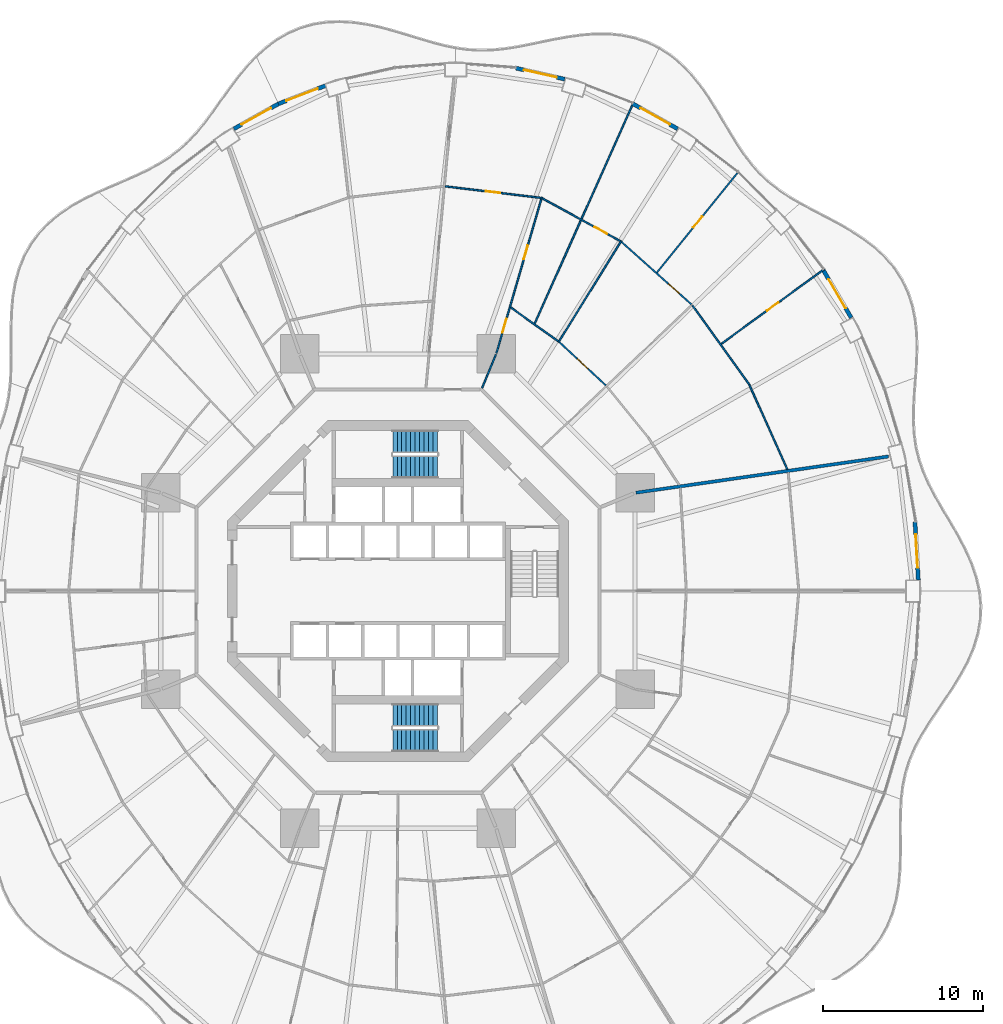
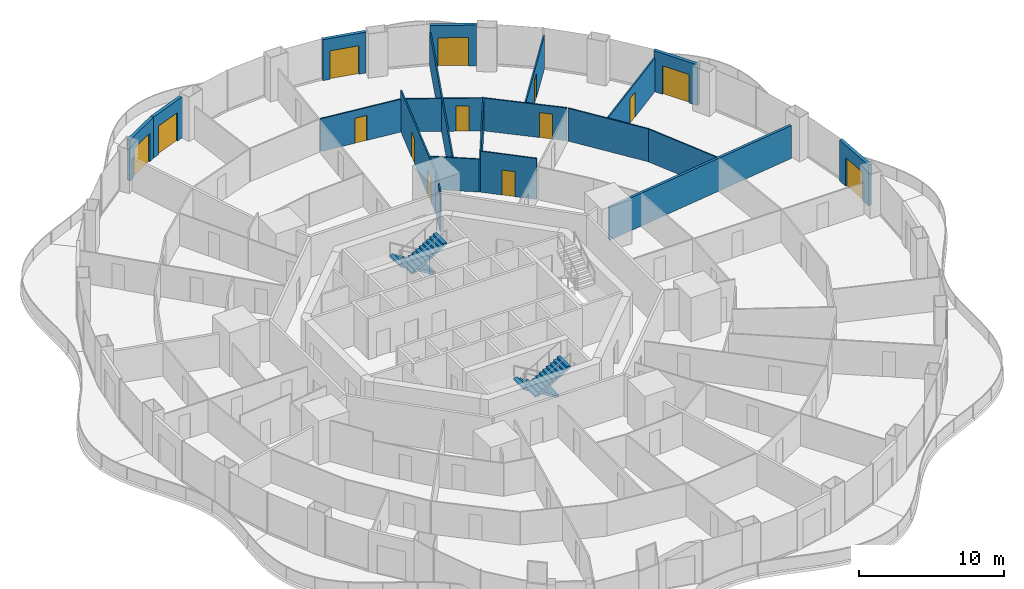
# One storey, part 19 of 23: 20 walls, 14 doors, 4 stair flights, 14 openings, 2 elements without a shape of their own.
"""IFC4 building model written with IfcOpenShell, lengths in metres."""

from ifc_helpers import new_model, si_unit, direction, frame, frame_2d, origin, place, context, subcontext, project, spatial, polyline, rectangle, outline, extrude, material, layer, layer_set, type_object, element, fill, aggregate, save


model = new_model("IFC4")

# Units and contexts
model_context = context("Model", 3, precision=1e-05, world=origin(), true_north=direction((0.0, 1.0)))
body_context = subcontext(model_context, "Body", "Model", "MODEL_VIEW")
ifc_project = project(units=[si_unit("LENGTHUNIT", "METRE"), si_unit("AREAUNIT", "SQUARE_METRE"), si_unit("VOLUMEUNIT", "CUBIC_METRE"), si_unit("PLANEANGLEUNIT", "RADIAN"), si_unit("MASSUNIT", "GRAM", prefix="KILO")], contexts=[model_context])

# Site, building, storey
site_placement = place(None, origin())
site = spatial("IfcSite", under=ifc_project, at=site_placement, CompositionType="ELEMENT")
building_placement = place(site_placement, origin())
building = spatial("IfcBuilding", under=site, at=building_placement, Name="Nagisa Residences", CompositionType="ELEMENT")
storey_placement = place(building_placement, frame((0.0, 0.0, 56.60009765625)))
storey = spatial("IfcBuildingStorey", under=building, at=storey_placement, Name="L13", CompositionType="ELEMENT", Elevation=56.60009765625)

# Walls
ifc_material_1 = material(Name="Gypsum board on steel studs", Category="steel")
ifc_layer_1 = layer(ifc_material_1, 0.199951171875)
ifc_layer_set_1 = layer_set([ifc_layer_1], Name="Apartment compartment wall EI60 200")
wall_type_1 = type_object("IfcWallType", Name="Apartment compartment wall EI60 200", PredefinedType="PARTITIONING", material=ifc_layer_set_1)
wall_1_placement = place(storey_placement, frame((14.83154296875, 6.130126953125, 0.0), z_axis=(0.0, 0.0, 1.0), x_axis=(0.989836541293, 0.142209779978, 0.0)))
element("IfcWall", 1, at=wall_1_placement, inside=storey, type_object=wall_type_1, Name="wall:L13:u01", PredefinedType="PARTITIONING", context=body_context, shape_type="SweptSolid", body=[
    extrude(rectangle(XDim=15.9091796875, YDim=0.199951171875, at=frame_2d((7.95458984375, 0.0))), origin(), (0.0, 0.0, 1.0), 2.755859375),
])
ifc_material_2 = material(Name="Gypsum board on steel studs", Category="steel")
ifc_layer_2 = layer(ifc_material_2, 0.10009765625)
ifc_layer_set_2 = layer_set([ifc_layer_2], Name="Apartment partition 100")
wall_type_2 = type_object("IfcWallType", Name="Apartment partition 100", PredefinedType="PARTITIONING", material=ifc_layer_set_2)
wall_2_placement = place(storey_placement, frame((24.272705078125, 7.583740234375, 0.0), z_axis=(0.0, 0.0, 1.0), x_axis=(-0.410201529109, 0.911994904326, 0.0)))
element("IfcWall", 2, at=wall_2_placement, inside=storey, type_object=wall_type_2, Name="wall:L13:u24", PredefinedType="PARTITIONING", context=body_context, shape_type="SweptSolid", body=[
    extrude(rectangle(XDim=5.786865234375, YDim=0.10009765625, at=frame_2d((2.8935546875, 0.0))), origin(), (0.0, 0.0, 1.0), 2.755859375),
])
wall_3_placement = place(storey_placement, frame((21.90771484375, 12.866455078125, 0.0), z_axis=(0.0, 0.0, 1.0), x_axis=(-0.584558392935, 0.811351640936, 0.0)))
element("IfcWall", 3, at=wall_3_placement, inside=storey, type_object=wall_type_2, Name="wall:L13:u26", PredefinedType="PARTITIONING", context=body_context, shape_type="SweptSolid", body=[
    extrude(rectangle(XDim=6.084228515625, YDim=0.10009765625, at=frame_2d((3.0419921875, 0.0))), origin(), (0.0, 0.0, 1.0), 2.755859375),
])

# Wall, opening, door
wall_4_placement = place(storey_placement, frame((20.140625, 15.404541015625, 0.0), z_axis=(0.0, 0.0, 1.0), x_axis=(0.809834895779, 0.58665785734, 0.0)))
wall_4 = element("IfcWall", 4, at=wall_4_placement, inside=storey, type_object=wall_type_2, Name="wall:L13:u27", PredefinedType="PARTITIONING", context=body_context, shape_type="SweptSolid", body=[
    extrude(rectangle(XDim=7.9453125, YDim=0.10009765625, at=frame_2d((3.97265625, 0.0))), origin(), (0.0, 0.0, 1.0), 2.8369140625),
])
opening_1_placement = place(wall_4_placement, frame((3.5224609375, 0.0, 0.0)))
opening_1 = element("IfcOpeningElement", 5, at=opening_1_placement, cuts=wall_4, Name="Opening L13-U57", PredefinedType="OPENING", context=body_context, shape_type="SweptSolid", body=[
    extrude(rectangle(XDim=0.89990234375, YDim=2.10009765625, at=frame_2d((0.449951171875, 1.050048828125))), frame((0.0, 0.06005859375, 0.0), z_axis=(0.0, -1.0, 0.0), x_axis=(1.0, 0.0, 0.0)), (0.0, 0.0, 1.0), 0.1201171875),
])
ifc_material_3 = material(Name="Timber door set", Category="wood")
door_type_1 = type_object("IfcDoorType", Name="Apartment door 900x2100", OperationType="NOTDEFINED", PredefinedType="DOOR", material=ifc_material_3)
door_1_placement = place(opening_1_placement, frame((0.89990234375, 0.0, 0.0), x_axis=(-1.0, 0.0, 0.0)))
door_1 = element("IfcDoor", 6, at=door_1_placement, inside=storey, type_object=door_type_1, Name="Door to family room, Apartment 13E", OperationType="SINGLE_SWING_RIGHT", OverallHeight=2.10009765625, OverallWidth=0.89990234375, PredefinedType="DOOR", context=body_context, shape_type="SweptSolid", body=[
    extrude(rectangle(XDim=0.89990234375, YDim=2.10009765625, at=frame_2d((0.449951171875, 1.050048828125))), frame((0.0, 0.02490234375, 0.0), z_axis=(0.0, -1.0, 0.0), x_axis=(1.0, 0.0, 0.0)), (0.0, 0.0, 1.0), 0.050048828125),
])
fill(opening_1, door_1)

wall_5_placement = place(storey_placement, frame((12.957763671875, 12.820068359375, 0.0), z_axis=(0.0, 0.0, 1.0), x_axis=(-0.732022571638, 0.681280378855, 0.0)))
wall_5 = element("IfcWall", 7, at=wall_5_placement, inside=storey, type_object=wall_type_2, Name="wall:L13:u29", PredefinedType="PARTITIONING", context=body_context, shape_type="SweptSolid", body=[
    extrude(rectangle(XDim=3.9501953125, YDim=0.10009765625, at=frame_2d((1.97509765625, 0.0))), origin(), (0.0, 0.0, 1.0), 3.43994140625),
])
opening_2_placement = place(wall_5_placement, frame((1.525146484375, 0.0, 0.0)))
opening_2 = element("IfcOpeningElement", 8, at=opening_2_placement, cuts=wall_5, Name="Opening L13-U46", PredefinedType="OPENING", context=body_context, shape_type="SweptSolid", body=[
    extrude(rectangle(XDim=0.89990234375, YDim=2.10009765625, at=frame_2d((0.449951171875, 1.050048828125))), frame((0.0, 0.06005859375, 0.0), z_axis=(0.0, -1.0, 0.0), x_axis=(1.0, 0.0, 0.0)), (0.0, 0.0, 1.0), 0.1201171875),
])
door_2_placement = place(opening_2_placement, frame((0.89990234375, 0.0, 0.0), x_axis=(-1.0, 0.0, 0.0)))
door_2 = element("IfcDoor", 9, at=door_2_placement, inside=storey, type_object=door_type_1, Name="Door to kitchen, Apartment 13E", OperationType="SINGLE_SWING_LEFT", OverallHeight=2.10009765625, OverallWidth=0.89990234375, PredefinedType="DOOR", context=body_context, shape_type="SweptSolid", body=[
    extrude(rectangle(XDim=0.89990234375, YDim=2.10009765625, at=frame_2d((0.449951171875, 1.050048828125))), frame((0.0, 0.02490234375, 0.0), z_axis=(0.0, -1.0, 0.0), x_axis=(1.0, 0.0, 0.0)), (0.0, 0.0, 1.0), 0.050048828125),
])
fill(opening_2, door_2)

wall_6_placement = place(storey_placement, frame((18.28466796875, 17.876953125, 0.0), z_axis=(0.0, 0.0, 1.0), x_axis=(-0.745806142791, 0.666163041136, 0.0)))
wall_6 = element("IfcWall", 10, at=wall_6_placement, inside=storey, type_object=wall_type_2, Name="wall:L13:u30", PredefinedType="PARTITIONING", context=body_context, shape_type="SweptSolid", body=[
    extrude(rectangle(XDim=5.83056640625, YDim=0.10009765625, at=frame_2d((2.915283203125, 0.0))), origin(), (0.0, 0.0, 1.0), 2.755859375),
])
opening_3_placement = place(wall_6_placement, frame((1.007568359375, 0.0, 0.0)))
opening_3 = element("IfcOpeningElement", 11, at=opening_3_placement, cuts=wall_6, Name="Opening L13-U49", PredefinedType="OPENING", context=body_context, shape_type="SweptSolid", body=[
    extrude(rectangle(XDim=0.89990234375, YDim=2.10009765625, at=frame_2d((0.449951171875, 1.050048828125))), frame((0.0, 0.06005859375, 0.0), z_axis=(0.0, -1.0, 0.0), x_axis=(1.0, 0.0, 0.0)), (0.0, 0.0, 1.0), 0.1201171875),
])
door_3_placement = place(opening_3_placement, frame((0.89990234375, 0.0, 0.0), x_axis=(-1.0, 0.0, 0.0)))
door_3 = element("IfcDoor", 12, at=door_3_placement, inside=storey, type_object=door_type_1, Name="Door to dining room, Apartment 13E", OperationType="SINGLE_SWING_RIGHT", OverallHeight=2.10009765625, OverallWidth=0.89990234375, PredefinedType="DOOR", context=body_context, shape_type="SweptSolid", body=[
    extrude(rectangle(XDim=0.89990234375, YDim=2.10009765625, at=frame_2d((0.449951171875, 1.050048828125))), frame((0.0, 0.02490234375, 0.0), z_axis=(0.0, -1.0, 0.0), x_axis=(1.0, 0.0, 0.0)), (0.0, 0.0, 1.0), 0.050048828125),
])
fill(opening_3, door_3)

wall_7_placement = place(storey_placement, frame((16.141845703125, 19.85791015625, 0.0), z_axis=(0.0, 0.0, 1.0), x_axis=(0.628738066508, 0.777617157555, 0.0)))
wall_7 = element("IfcWall", 13, at=wall_7_placement, inside=storey, type_object=wall_type_2, Name="wall:L13:u31", PredefinedType="PARTITIONING", context=body_context, shape_type="SweptSolid", body=[
    extrude(rectangle(XDim=8.091064453125, YDim=0.10009765625, at=frame_2d((4.04541015625, 0.0))), origin(), (0.0, 0.0, 1.0), 2.8369140625),
])
opening_4_placement = place(wall_7_placement, frame((3.595458984375, 0.0, 0.0)))
opening_4 = element("IfcOpeningElement", 14, at=opening_4_placement, cuts=wall_7, Name="Opening L13-U50", PredefinedType="OPENING", context=body_context, shape_type="SweptSolid", body=[
    extrude(rectangle(XDim=0.89990234375, YDim=2.10009765625, at=frame_2d((0.449951171875, 1.050048828125))), frame((0.0, 0.06005859375, 0.0), z_axis=(0.0, -1.0, 0.0), x_axis=(1.0, 0.0, 0.0)), (0.0, 0.0, 1.0), 0.1201171875),
])
door_4_placement = place(opening_4_placement, origin())
door_4 = element("IfcDoor", 15, at=door_4_placement, inside=storey, type_object=door_type_1, Name="Door to master bedroom, Apartment 13E", OperationType="SINGLE_SWING_RIGHT", OverallHeight=2.10009765625, OverallWidth=0.89990234375, PredefinedType="DOOR", context=body_context, shape_type="SweptSolid", body=[
    extrude(rectangle(XDim=0.89990234375, YDim=2.10009765625, at=frame_2d((0.449951171875, 1.050048828125))), frame((0.0, 0.02490234375, 0.0), z_axis=(0.0, -1.0, 0.0), x_axis=(1.0, 0.0, 0.0)), (0.0, 0.0, 1.0), 0.050048828125),
])
fill(opening_4, door_4)

# Walls
wall_8_placement = place(storey_placement, frame((10.003173828125, 15.502685546875, 0.0), z_axis=(0.0, 0.0, 1.0), x_axis=(0.52645953022, 0.850200189979, 0.0)))
element("IfcWall", 16, at=wall_8_placement, inside=storey, type_object=wall_type_2, Name="wall:L13:u32", PredefinedType="PARTITIONING", context=body_context, shape_type="SweptSolid", body=[
    extrude(rectangle(XDim=7.449951171875, YDim=0.10009765625, at=frame_2d((3.72509765625, 0.0))), origin(), (0.0, 0.0, 1.0), 2.755859375),
])
wall_9_placement = place(storey_placement, frame((9.98876953125, 15.57421875, 0.0), z_axis=(0.0, 0.0, 1.0), x_axis=(-0.81494477814, 0.57953861699, 0.0)))
element("IfcWall", 17, at=wall_9_placement, inside=storey, type_object=wall_type_2, Name="wall:L13:u33", PredefinedType="PARTITIONING", context=body_context, shape_type="SweptSolid", body=[
    extrude(rectangle(XDim=3.644287109375, YDim=0.10009765625, at=frame_2d((1.822265625, 0.0))), origin(), (0.0, 0.0, 1.0), 2.755859375),
])

# Wall, opening, door
wall_10_placement = place(storey_placement, frame((13.85498046875, 21.818359375, 0.0), z_axis=(0.0, 0.0, 1.0), x_axis=(-0.876794415294, 0.480865421203, 0.0)))
wall_10 = element("IfcWall", 18, at=wall_10_placement, inside=storey, type_object=wall_type_2, Name="wall:L13:u34", PredefinedType="PARTITIONING", context=body_context, shape_type="SweptSolid", body=[
    extrude(rectangle(XDim=5.5361328125, YDim=0.10009765625, at=frame_2d((2.76806640625, 0.0))), origin(), (0.0, 0.0, 1.0), 2.755859375),
])
opening_5_placement = place(wall_10_placement, frame((0.93408203125, 0.0, 0.0)))
opening_5 = element("IfcOpeningElement", 19, at=opening_5_placement, cuts=wall_10, Name="Opening L13-U56", PredefinedType="OPENING", context=body_context, shape_type="SweptSolid", body=[
    extrude(rectangle(XDim=0.89990234375, YDim=2.10009765625, at=frame_2d((0.449951171875, 1.050048828125))), frame((0.0, 0.06005859375, 0.0), z_axis=(0.0, -1.0, 0.0), x_axis=(1.0, 0.0, 0.0)), (0.0, 0.0, 1.0), 0.1201171875),
])
door_5_placement = place(opening_5_placement, origin())
door_5 = element("IfcDoor", 20, at=door_5_placement, inside=storey, type_object=door_type_1, Name="Door to en-suite bathroom, Apartment 13E", OperationType="SINGLE_SWING_RIGHT", OverallHeight=2.10009765625, OverallWidth=0.89990234375, PredefinedType="DOOR", context=body_context, shape_type="SweptSolid", body=[
    extrude(rectangle(XDim=0.89990234375, YDim=2.10009765625, at=frame_2d((0.449951171875, 1.050048828125))), frame((0.0, 0.02490234375, 0.0), z_axis=(0.0, -1.0, 0.0), x_axis=(1.0, 0.0, 0.0)), (0.0, 0.0, 1.0), 0.050048828125),
])
fill(opening_5, door_5)

# Walls
wall_11_placement = place(storey_placement, frame((8.524169921875, 16.676025390625, 0.0), z_axis=(0.0, 0.0, 1.0), x_axis=(0.408065177262, 0.912952797852, 0.0)))
element("IfcWall", 21, at=wall_11_placement, inside=storey, type_object=wall_type_2, Name="wall:L13:u35", PredefinedType="PARTITIONING", context=body_context, shape_type="SweptSolid", body=[
    extrude(rectangle(XDim=15.0888671875, YDim=0.10009765625, at=frame_2d((7.54443359375, 0.0))), origin(), (0.0, 0.0, 1.0), 2.8369140625),
])
wall_12_placement = place(storey_placement, frame((5.24267578125, 12.6572265625, 0.0), z_axis=(0.0, 0.0, 1.0), x_axis=(0.382719158442, 0.923864733477, 0.0)))
element("IfcWall", 22, at=wall_12_placement, inside=storey, type_object=wall_type_2, Name="wall:L13:u36", PredefinedType="PARTITIONING", context=body_context, shape_type="SweptSolid", body=[
    extrude(rectangle(XDim=2.25, YDim=0.10009765625, at=frame_2d((1.125, 0.0))), origin(), (0.0, 0.0, 1.0), 3.43994140625),
])

# Wall, openings, doors
wall_13_placement = place(storey_placement, frame((6.136962890625, 14.830078125, 0.0), z_axis=(0.0, 0.0, 1.0), x_axis=(0.279843546189, 0.960045618529, 0.0)))
wall_13 = element("IfcWall", 23, at=wall_13_placement, inside=storey, type_object=wall_type_2, Name="wall:L13:u37", PredefinedType="PARTITIONING", context=body_context, shape_type="SweptSolid", body=[
    extrude(rectangle(XDim=10.126953125, YDim=0.10009765625, at=frame_2d((5.0634765625, 0.0))), origin(), (0.0, 0.0, 1.0), 3.43994140625),
])
opening_6_placement = place(wall_13_placement, frame((1.333740234375, 0.0, 0.0)))
opening_6 = element("IfcOpeningElement", 24, at=opening_6_placement, cuts=wall_13, Name="Opening L13-U44", PredefinedType="OPENING", context=body_context, shape_type="SweptSolid", body=[
    extrude(rectangle(XDim=0.89990234375, YDim=2.10009765625, at=frame_2d((0.449951171875, 1.050048828125))), frame((0.0, 0.06005859375, 0.0), z_axis=(0.0, -1.0, 0.0), x_axis=(1.0, 0.0, 0.0)), (0.0, 0.0, 1.0), 0.1201171875),
])
opening_7_placement = place(wall_13_placement, frame((6.09130859375, 0.0, 0.0)))
opening_7 = element("IfcOpeningElement", 25, at=opening_7_placement, cuts=wall_13, Name="Opening L13-U47", PredefinedType="OPENING", context=body_context, shape_type="SweptSolid", body=[
    extrude(rectangle(XDim=0.89990234375, YDim=2.10009765625, at=frame_2d((0.449951171875, 1.050048828125))), frame((0.0, 0.06005859375, 0.0), z_axis=(0.0, -1.0, 0.0), x_axis=(1.0, 0.0, 0.0)), (0.0, 0.0, 1.0), 0.1201171875),
])
door_6_placement = place(opening_6_placement, frame((0.89990234375, 0.0, 0.0), x_axis=(-1.0, 0.0, 0.0)))
door_6 = element("IfcDoor", 26, at=door_6_placement, inside=storey, type_object=door_type_1, Name="Door to store, Apartment 13E", OperationType="SINGLE_SWING_LEFT", OverallHeight=2.10009765625, OverallWidth=0.89990234375, PredefinedType="DOOR", context=body_context, shape_type="SweptSolid", body=[
    extrude(rectangle(XDim=0.89990234375, YDim=2.10009765625, at=frame_2d((0.449951171875, 1.050048828125))), frame((0.0, 0.02490234375, 0.0), z_axis=(0.0, -1.0, 0.0), x_axis=(1.0, 0.0, 0.0)), (0.0, 0.0, 1.0), 0.050048828125),
])
fill(opening_6, door_6)
door_7_placement = place(opening_7_placement, frame((0.89990234375, 0.0, 0.0), x_axis=(-1.0, 0.0, 0.0)))
door_7 = element("IfcDoor", 27, at=door_7_placement, inside=storey, type_object=door_type_1, Name="Door to family bathroom, Apartment 13E", OperationType="SINGLE_SWING_RIGHT", OverallHeight=2.10009765625, OverallWidth=0.89990234375, PredefinedType="DOOR", context=body_context, shape_type="SweptSolid", body=[
    extrude(rectangle(XDim=0.89990234375, YDim=2.10009765625, at=frame_2d((0.449951171875, 1.050048828125))), frame((0.0, 0.02490234375, 0.0), z_axis=(0.0, -1.0, 0.0), x_axis=(1.0, 0.0, 0.0)), (0.0, 0.0, 1.0), 0.050048828125),
])
fill(opening_7, door_7)

# Wall, opening, door
wall_14_placement = place(storey_placement, frame((8.907470703125, 24.510498046875, 0.0), z_axis=(0.0, 0.0, 1.0), x_axis=(-0.992836798252, 0.119478416615, 0.0)))
wall_14 = element("IfcWall", 28, at=wall_14_placement, inside=storey, type_object=wall_type_2, Name="wall:L13:u38", PredefinedType="PARTITIONING", context=body_context, shape_type="SweptSolid", body=[
    extrude(rectangle(XDim=6.009521484375, YDim=0.10009765625, at=frame_2d((3.0048828125, 0.0))), origin(), (0.0, 0.0, 1.0), 2.755859375),
])
opening_8_placement = place(wall_14_placement, frame((2.5546875, 0.0, 0.0)))
opening_8 = element("IfcOpeningElement", 29, at=opening_8_placement, cuts=wall_14, Name="Opening L13-U51", PredefinedType="OPENING", context=body_context, shape_type="SweptSolid", body=[
    extrude(rectangle(XDim=0.89990234375, YDim=2.10009765625, at=frame_2d((0.449951171875, 1.050048828125))), frame((0.0, 0.06005859375, 0.0), z_axis=(0.0, -1.0, 0.0), x_axis=(1.0, 0.0, 0.0)), (0.0, 0.0, 1.0), 0.1201171875),
])
door_8_placement = place(opening_8_placement, frame((0.89990234375, 0.0, 0.0), x_axis=(-1.0, 0.0, 0.0)))
door_8 = element("IfcDoor", 30, at=door_8_placement, inside=storey, type_object=door_type_1, Name="Door to living room, Apartment 13E", OperationType="SINGLE_SWING_RIGHT", OverallHeight=2.10009765625, OverallWidth=0.89990234375, PredefinedType="DOOR", context=body_context, shape_type="SweptSolid", body=[
    extrude(rectangle(XDim=0.89990234375, YDim=2.10009765625, at=frame_2d((0.449951171875, 1.050048828125))), frame((0.0, 0.02490234375, 0.0), z_axis=(0.0, -1.0, 0.0), x_axis=(1.0, 0.0, 0.0)), (0.0, 0.0, 1.0), 0.050048828125),
])
fill(opening_8, door_8)

ifc_material_4 = material(Name="Precast concrete C40/50", Category="concrete")
ifc_layer_3 = layer(ifc_material_4, 0.25)
ifc_layer_set_3 = layer_set([ifc_layer_3], Name="BALCONY DOOR WALL 250")
wall_type_3 = type_object("IfcWallType", Name="BALCONY DOOR WALL 250", PredefinedType="SOLIDWALL", material=ifc_layer_set_3)
wall_15_placement = place(storey_placement, frame((32.22705078125, 4.30029296875, 0.0), z_axis=(0.0, 0.0, 1.0), x_axis=(0.057546046339, -0.998342853208, 0.0)))
wall_15 = element("IfcWall", 31, at=wall_15_placement, inside=storey, type_object=wall_type_3, Name="wall:L13:bay00", PredefinedType="SOLIDWALL", context=body_context, shape_type="SweptSolid", body=[
    extrude(rectangle(XDim=3.61474609375, YDim=0.25, at=frame_2d((1.807373046875, 0.0))), origin(), (0.0, 0.0, 1.0), 3.43994140625),
])
opening_9_placement = place(wall_15_placement, frame((0.75732421875, 0.0, 0.0)))
opening_9 = element("IfcOpeningElement", 32, at=opening_9_placement, cuts=wall_15, Name="Opening BD-L13-01", PredefinedType="OPENING", context=body_context, shape_type="SweptSolid", body=[
    extrude(rectangle(XDim=2.10009765625, YDim=2.39990234375, at=frame_2d((1.050048828125, 1.199951171875))), frame((0.0, 0.135009765625, 0.0), z_axis=(0.0, -1.0, 0.0), x_axis=(1.0, 0.0, 0.0)), (0.0, 0.0, 1.0), 0.27001953125),
])
ifc_material_5 = material(Name="Aluminium and clear glass", Category="aluminium")
door_type_2 = type_object("IfcDoorType", Name="BALCONY SLIDING DOOR 2100x2400", OperationType="SLIDING_TO_LEFT", PredefinedType="DOOR", material=ifc_material_5)
door_9_placement = place(opening_9_placement, origin())
door_9 = element("IfcDoor", 33, at=door_9_placement, inside=storey, type_object=door_type_2, Name="door:L13:bay00", OperationType="SLIDING_TO_LEFT", OverallHeight=2.39990234375, OverallWidth=2.10009765625, PredefinedType="DOOR", context=body_context, shape_type="SweptSolid", body=[
    extrude(rectangle(XDim=2.10009765625, YDim=2.39990234375, at=frame_2d((1.050048828125, 1.199951171875))), frame((0.0, 0.02490234375, 0.0), z_axis=(0.0, -1.0, 0.0), x_axis=(1.0, 0.0, 0.0)), (0.0, 0.0, 1.0), 0.050048828125),
])
fill(opening_9, door_9)

wall_16_placement = place(storey_placement, frame((26.49951171875, 20.02587890625, 0.0), z_axis=(0.0, 0.0, 1.0), x_axis=(0.506311160839, -0.862350861546, 0.0)))
wall_16 = element("IfcWall", 34, at=wall_16_placement, inside=storey, type_object=wall_type_3, Name="wall:L13:bay04", PredefinedType="SOLIDWALL", context=body_context, shape_type="SweptSolid", body=[
    extrude(rectangle(XDim=3.462158203125, YDim=0.25, at=frame_2d((1.73095703125, 0.0))), origin(), (0.0, 0.0, 1.0), 3.43994140625),
])
opening_10_placement = place(wall_16_placement, frame((0.68115234375, 0.0, 0.0)))
opening_10 = element("IfcOpeningElement", 35, at=opening_10_placement, cuts=wall_16, Name="Opening BD-L13-02", PredefinedType="OPENING", context=body_context, shape_type="SweptSolid", body=[
    extrude(rectangle(XDim=2.10009765625, YDim=2.39990234375, at=frame_2d((1.050048828125, 1.199951171875))), frame((0.0, 0.135009765625, 0.0), z_axis=(0.0, -1.0, 0.0), x_axis=(1.0, 0.0, 0.0)), (0.0, 0.0, 1.0), 0.27001953125),
])
door_10_placement = place(opening_10_placement, origin())
door_10 = element("IfcDoor", 36, at=door_10_placement, inside=storey, type_object=door_type_2, Name="door:L13:bay04", OperationType="SLIDING_TO_LEFT", OverallHeight=2.39990234375, OverallWidth=2.10009765625, PredefinedType="DOOR", context=body_context, shape_type="SweptSolid", body=[
    extrude(rectangle(XDim=2.10009765625, YDim=2.39990234375, at=frame_2d((1.050048828125, 1.199951171875))), frame((0.0, 0.02490234375, 0.0), z_axis=(0.0, -1.0, 0.0), x_axis=(1.0, 0.0, 0.0)), (0.0, 0.0, 1.0), 0.050048828125),
])
fill(opening_10, door_10)

wall_17_placement = place(storey_placement, frame((14.63671875, 30.37890625, 0.0), z_axis=(0.0, 0.0, 1.0), x_axis=(0.872102558443, -0.489323132048, 0.0)))
wall_17 = element("IfcWall", 37, at=wall_17_placement, inside=storey, type_object=wall_type_3, Name="wall:L13:bay08", PredefinedType="SOLIDWALL", context=body_context, shape_type="SweptSolid", body=[
    extrude(rectangle(XDim=3.201171875, YDim=0.25, at=frame_2d((1.6005859375, 0.0))), origin(), (0.0, 0.0, 1.0), 3.43994140625),
])
opening_11_placement = place(wall_17_placement, frame((0.550537109375, 0.0, 0.0)))
opening_11 = element("IfcOpeningElement", 38, at=opening_11_placement, cuts=wall_17, Name="Opening BD-L13-03", PredefinedType="OPENING", context=body_context, shape_type="SweptSolid", body=[
    extrude(rectangle(XDim=2.10009765625, YDim=2.39990234375, at=frame_2d((1.050048828125, 1.199951171875))), frame((0.0, 0.135009765625, 0.0), z_axis=(0.0, -1.0, 0.0), x_axis=(1.0, 0.0, 0.0)), (0.0, 0.0, 1.0), 0.27001953125),
])
door_11_placement = place(opening_11_placement, origin())
door_11 = element("IfcDoor", 39, at=door_11_placement, inside=storey, type_object=door_type_2, Name="door:L13:bay08", OperationType="SLIDING_TO_LEFT", OverallHeight=2.39990234375, OverallWidth=2.10009765625, PredefinedType="DOOR", context=body_context, shape_type="SweptSolid", body=[
    extrude(rectangle(XDim=2.10009765625, YDim=2.39990234375, at=frame_2d((1.050048828125, 1.199951171875))), frame((0.0, 0.02490234375, 0.0), z_axis=(0.0, -1.0, 0.0), x_axis=(1.0, 0.0, 0.0)), (0.0, 0.0, 1.0), 0.050048828125),
])
fill(opening_11, door_11)

wall_18_placement = place(storey_placement, frame((7.357666015625, 32.595703125, 0.0), z_axis=(0.0, 0.0, 1.0), x_axis=(0.97533495413, -0.220729987208, 0.0)))
wall_18 = element("IfcWall", 40, at=wall_18_placement, inside=storey, type_object=wall_type_3, Name="wall:L13:bay10", PredefinedType="SOLIDWALL", context=body_context, shape_type="SweptSolid", body=[
    extrude(rectangle(XDim=3.11474609375, YDim=0.25, at=frame_2d((1.557373046875, 0.0))), origin(), (0.0, 0.0, 1.0), 3.43994140625),
])
opening_12_placement = place(wall_18_placement, frame((0.50732421875, 0.0, 0.0)))
opening_12 = element("IfcOpeningElement", 41, at=opening_12_placement, cuts=wall_18, Name="Opening BD-L13-04", PredefinedType="OPENING", context=body_context, shape_type="SweptSolid", body=[
    extrude(rectangle(XDim=2.10009765625, YDim=2.39990234375, at=frame_2d((1.050048828125, 1.199951171875))), frame((0.0, 0.135009765625, 0.0), z_axis=(0.0, -1.0, 0.0), x_axis=(1.0, 0.0, 0.0)), (0.0, 0.0, 1.0), 0.27001953125),
])
door_12_placement = place(opening_12_placement, origin())
door_12 = element("IfcDoor", 42, at=door_12_placement, inside=storey, type_object=door_type_2, Name="door:L13:bay10", OperationType="SLIDING_TO_LEFT", OverallHeight=2.39990234375, OverallWidth=2.10009765625, PredefinedType="DOOR", context=body_context, shape_type="SweptSolid", body=[
    extrude(rectangle(XDim=2.10009765625, YDim=2.39990234375, at=frame_2d((1.050048828125, 1.199951171875))), frame((0.0, 0.02490234375, 0.0), z_axis=(0.0, -1.0, 0.0), x_axis=(1.0, 0.0, 0.0)), (0.0, 0.0, 1.0), 0.050048828125),
])
fill(opening_12, door_12)

wall_19_placement = place(storey_placement, frame((-7.452880859375, 30.371337890625, 0.0), z_axis=(0.0, 0.0, 1.0), x_axis=(0.932809381943, 0.360370166577, 0.0)))
wall_19 = element("IfcWall", 43, at=wall_19_placement, inside=storey, type_object=wall_type_3, Name="wall:L13:bay14", PredefinedType="SOLIDWALL", context=body_context, shape_type="SweptSolid", body=[
    extrude(rectangle(XDim=3.15087890625, YDim=0.25, at=frame_2d((1.575439453125, 0.0))), origin(), (0.0, 0.0, 1.0), 3.43994140625),
])
opening_13_placement = place(wall_19_placement, frame((0.525390625, 0.0, 0.0)))
opening_13 = element("IfcOpeningElement", 44, at=opening_13_placement, cuts=wall_19, Name="Opening BD-L13-05", PredefinedType="OPENING", context=body_context, shape_type="SweptSolid", body=[
    extrude(rectangle(XDim=2.10009765625, YDim=2.39990234375, at=frame_2d((1.050048828125, 1.199951171875))), frame((0.0, 0.135009765625, 0.0), z_axis=(0.0, -1.0, 0.0), x_axis=(1.0, 0.0, 0.0)), (0.0, 0.0, 1.0), 0.27001953125),
])
door_13_placement = place(opening_13_placement, origin())
door_13 = element("IfcDoor", 45, at=door_13_placement, inside=storey, type_object=door_type_2, Name="door:L13:bay14", OperationType="SLIDING_TO_LEFT", OverallHeight=2.39990234375, OverallWidth=2.10009765625, PredefinedType="DOOR", context=body_context, shape_type="SweptSolid", body=[
    extrude(rectangle(XDim=2.10009765625, YDim=2.39990234375, at=frame_2d((1.050048828125, 1.199951171875))), frame((0.0, 0.02490234375, 0.0), z_axis=(0.0, -1.0, 0.0), x_axis=(1.0, 0.0, 0.0)), (0.0, 0.0, 1.0), 0.050048828125),
])
fill(opening_13, door_13)

wall_20_placement = place(storey_placement, frame((-10.228271484375, 28.8125, 0.0), z_axis=(0.0, 0.0, 1.0), x_axis=(0.872084295691, 0.489355679653, 0.0)))
wall_20 = element("IfcWall", 46, at=wall_20_placement, inside=storey, type_object=wall_type_3, Name="wall:L13:bay15", PredefinedType="SOLIDWALL", context=body_context, shape_type="SweptSolid", body=[
    extrude(rectangle(XDim=3.200927734375, YDim=0.25, at=frame_2d((1.6005859375, 0.0))), origin(), (0.0, 0.0, 1.0), 3.43994140625),
])
opening_14_placement = place(wall_20_placement, frame((0.550537109375, 0.0, 0.0)))
opening_14 = element("IfcOpeningElement", 47, at=opening_14_placement, cuts=wall_20, Name="Opening BD-L13-06", PredefinedType="OPENING", context=body_context, shape_type="SweptSolid", body=[
    extrude(rectangle(XDim=2.10009765625, YDim=2.39990234375, at=frame_2d((1.050048828125, 1.199951171875))), frame((0.0, 0.135009765625, 0.0), z_axis=(0.0, -1.0, 0.0), x_axis=(1.0, 0.0, 0.0)), (0.0, 0.0, 1.0), 0.27001953125),
])
door_14_placement = place(opening_14_placement, origin())
door_14 = element("IfcDoor", 48, at=door_14_placement, inside=storey, type_object=door_type_2, Name="door:L13:bay15", OperationType="SLIDING_TO_LEFT", OverallHeight=2.39990234375, OverallWidth=2.10009765625, PredefinedType="DOOR", context=body_context, shape_type="SweptSolid", body=[
    extrude(rectangle(XDim=2.10009765625, YDim=2.39990234375, at=frame_2d((1.050048828125, 1.199951171875))), frame((0.0, 0.02490234375, 0.0), z_axis=(0.0, -1.0, 0.0), x_axis=(1.0, 0.0, 0.0)), (0.0, 0.0, 1.0), 0.050048828125),
])
fill(opening_14, door_14)

# Stair, stair flights
ifc_material_6 = material(Name="Concrete C60", Category="concrete")
stair_type = type_object("IfcStairType", Name="Exit stair", PredefinedType="HALF_TURN_STAIR", material=ifc_material_6)
stair_1_placement = place(storey_placement, origin())
stair_1 = element("IfcStair", 49, at=stair_1_placement, inside=storey, type_object=stair_type, Name="L13 Exit stair N", PredefinedType="HALF_TURN_STAIR")
ifc_material_7 = material(Name="Concrete C60", Category="concrete")
stair_flight_type = type_object("IfcStairFlightType", Name="Exit stair flight", PredefinedType="STRAIGHT", material=ifc_material_7)
stair_flight_1_placement = place(storey_placement, frame((2.47509765625, 9.31201171875, 0.0), z_axis=(0.0, 0.0, 1.0), x_axis=(-1.0, 0.0, 0.0)))
stair_flight_1 = element("IfcStairFlight", 50, at=stair_flight_1_placement, type_object=stair_flight_type, Name="ST-N flight 1", NumberOfRisers=11, NumberOfTreads=10, PredefinedType="STRAIGHT", RiserHeight=0.168181818, TreadLength=0.28, context=body_context, shape_type="SweptSolid", body=[
    extrude(outline(polyline([(0.0, 0.0), (0.0, 0.168212890625), (0.280029296875, 0.168212890625), (0.280029296875, 0.33642578125), (0.56005859375, 0.33642578125), (0.56005859375, 0.504638671875), (0.840087890625, 0.504638671875), (0.840087890625, 0.672607421875), (1.1201171875, 0.672607421875), (1.1201171875, 0.8408203125), (1.39990234375, 0.8408203125), (1.39990234375, 1.009033203125), (1.679931640625, 1.009033203125), (1.679931640625, 1.17724609375), (1.9599609375, 1.17724609375), (1.9599609375, 1.345458984375), (2.239990234375, 1.345458984375), (2.239990234375, 1.513671875), (2.52001953125, 1.513671875), (2.52001953125, 1.681884765625), (2.800048828125, 1.681884765625), (2.800048828125, 1.85009765625), (2.800048828125, 1.5068359375), (0.291015625, 0.0), (0.0, 0.0)])), frame((0.0, 0.71240234375, 0.0), z_axis=(0.0, -1.0, 0.0), x_axis=(1.0, 0.0, 0.0)), (0.0, 0.0, 1.0), 1.425048828125),
])
stair_flight_2_placement = place(storey_placement, frame((-0.324951171875, 7.737060546875, 1.849853515625), z_axis=(0.0, 0.0, 1.0), x_axis=(1.0, 0.0, 0.0)))
stair_flight_2 = element("IfcStairFlight", 51, at=stair_flight_2_placement, type_object=stair_flight_type, Name="ST-N flight 2", NumberOfRisers=11, NumberOfTreads=10, PredefinedType="STRAIGHT", RiserHeight=0.168181818, TreadLength=0.28, context=body_context, shape_type="SweptSolid", body=[
    extrude(outline(polyline([(0.0, 0.0), (0.0, 0.168212890625), (0.280029296875, 0.168212890625), (0.280029296875, 0.33642578125), (0.56005859375, 0.33642578125), (0.56005859375, 0.504638671875), (0.840087890625, 0.504638671875), (0.840087890625, 0.672607421875), (1.1201171875, 0.672607421875), (1.1201171875, 0.8408203125), (1.39990234375, 0.8408203125), (1.39990234375, 1.009033203125), (1.679931640625, 1.009033203125), (1.679931640625, 1.17724609375), (1.9599609375, 1.17724609375), (1.9599609375, 1.345458984375), (2.239990234375, 1.345458984375), (2.239990234375, 1.513671875), (2.52001953125, 1.513671875), (2.52001953125, 1.681884765625), (2.800048828125, 1.681884765625), (2.800048828125, 1.85009765625), (2.800048828125, 1.5068359375), (0.291015625, 0.0), (0.0, 0.0)])), frame((0.0, 0.71240234375, 0.0), z_axis=(0.0, -1.0, 0.0), x_axis=(1.0, 0.0, 0.0)), (0.0, 0.0, 1.0), 1.425048828125),
])
aggregate(stair_1, [stair_flight_1, stair_flight_2])

stair_2_placement = place(storey_placement, origin())
stair_2 = element("IfcStair", 52, at=stair_2_placement, inside=storey, type_object=stair_type, Name="L13 Exit stair S", PredefinedType="HALF_TURN_STAIR")
stair_flight_3_placement = place(storey_placement, frame((2.47509765625, -7.737060546875, 0.0), z_axis=(0.0, 0.0, 1.0), x_axis=(-1.0, 0.0, 0.0)))
stair_flight_3 = element("IfcStairFlight", 53, at=stair_flight_3_placement, type_object=stair_flight_type, Name="ST-S flight 1", NumberOfRisers=11, NumberOfTreads=10, PredefinedType="STRAIGHT", RiserHeight=0.168181818, TreadLength=0.28, context=body_context, shape_type="SweptSolid", body=[
    extrude(outline(polyline([(0.0, 0.0), (0.0, 0.168212890625), (0.280029296875, 0.168212890625), (0.280029296875, 0.33642578125), (0.56005859375, 0.33642578125), (0.56005859375, 0.504638671875), (0.840087890625, 0.504638671875), (0.840087890625, 0.672607421875), (1.1201171875, 0.672607421875), (1.1201171875, 0.8408203125), (1.39990234375, 0.8408203125), (1.39990234375, 1.009033203125), (1.679931640625, 1.009033203125), (1.679931640625, 1.17724609375), (1.9599609375, 1.17724609375), (1.9599609375, 1.345458984375), (2.239990234375, 1.345458984375), (2.239990234375, 1.513671875), (2.52001953125, 1.513671875), (2.52001953125, 1.681884765625), (2.800048828125, 1.681884765625), (2.800048828125, 1.85009765625), (2.800048828125, 1.5068359375), (0.291015625, 0.0), (0.0, 0.0)])), frame((0.0, 0.71240234375, 0.0), z_axis=(0.0, -1.0, 0.0), x_axis=(1.0, 0.0, 0.0)), (0.0, 0.0, 1.0), 1.425048828125),
])
stair_flight_4_placement = place(storey_placement, frame((-0.324951171875, -9.31201171875, 1.849853515625), z_axis=(0.0, 0.0, 1.0), x_axis=(1.0, 0.0, 0.0)))
stair_flight_4 = element("IfcStairFlight", 54, at=stair_flight_4_placement, type_object=stair_flight_type, Name="ST-S flight 2", NumberOfRisers=11, NumberOfTreads=10, PredefinedType="STRAIGHT", RiserHeight=0.168181818, TreadLength=0.28, context=body_context, shape_type="SweptSolid", body=[
    extrude(outline(polyline([(0.0, 0.0), (0.0, 0.168212890625), (0.280029296875, 0.168212890625), (0.280029296875, 0.33642578125), (0.56005859375, 0.33642578125), (0.56005859375, 0.504638671875), (0.840087890625, 0.504638671875), (0.840087890625, 0.672607421875), (1.1201171875, 0.672607421875), (1.1201171875, 0.8408203125), (1.39990234375, 0.8408203125), (1.39990234375, 1.009033203125), (1.679931640625, 1.009033203125), (1.679931640625, 1.17724609375), (1.9599609375, 1.17724609375), (1.9599609375, 1.345458984375), (2.239990234375, 1.345458984375), (2.239990234375, 1.513671875), (2.52001953125, 1.513671875), (2.52001953125, 1.681884765625), (2.800048828125, 1.681884765625), (2.800048828125, 1.85009765625), (2.800048828125, 1.5068359375), (0.291015625, 0.0), (0.0, 0.0)])), frame((0.0, 0.71240234375, 0.0), z_axis=(0.0, -1.0, 0.0), x_axis=(1.0, 0.0, 0.0)), (0.0, 0.0, 1.0), 1.425048828125),
])
aggregate(stair_2, [stair_flight_3, stair_flight_4])

save(model, "model.ifc")
